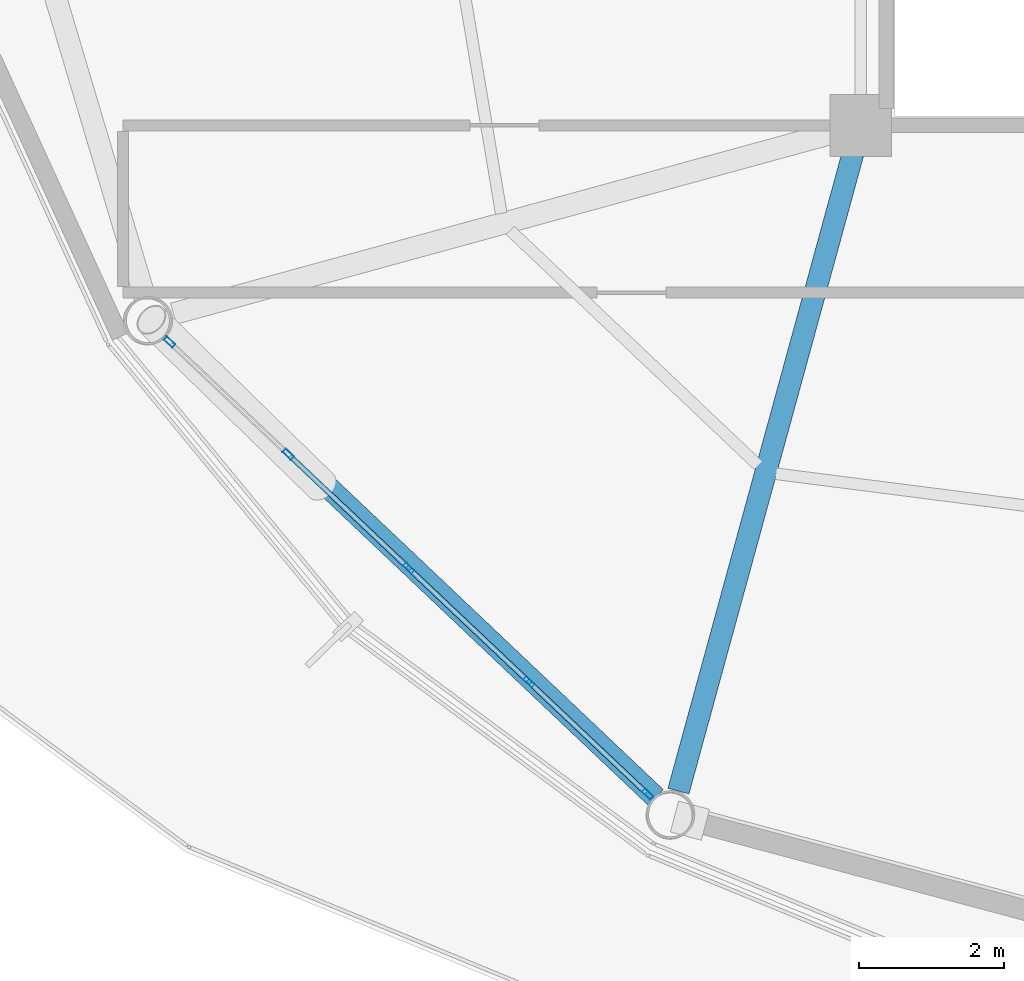
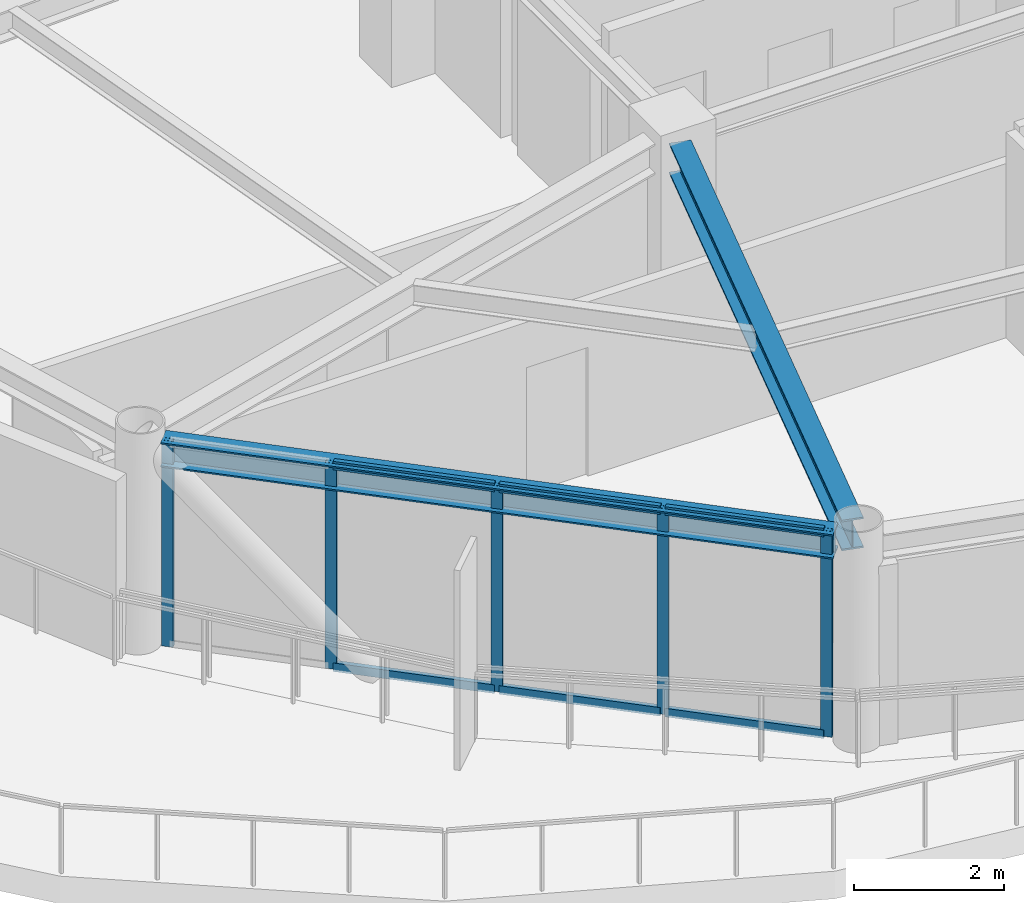
# One storey, part 2 of 25: 11 members, 2 beams, 1 element without a shape of its own.
"""IFC4 building model written with IfcOpenShell, lengths in metres."""

from ifc_helpers import new_model, si_unit, direction, frame, origin, origin_2d, place, context, subcontext, project, spatial, hollow_rectangle, i_section, extrude, material, layer, layer_set, material_profile, profile_set, type_object, element, aggregate, save


model = new_model("IFC4")

# Units and contexts
model_context = context("Model", 3, precision=1e-05, world=origin(), true_north=direction((0.0, 1.0)))
body_context = subcontext(model_context, "Body", "Model", "MODEL_VIEW")
ifc_project = project(units=[si_unit("LENGTHUNIT", "METRE"), si_unit("AREAUNIT", "SQUARE_METRE"), si_unit("VOLUMEUNIT", "CUBIC_METRE"), si_unit("PLANEANGLEUNIT", "RADIAN"), si_unit("MASSUNIT", "GRAM", prefix="KILO")], contexts=[model_context])

# Site, building, storey
site_placement = place(None, origin())
site = spatial("IfcSite", under=ifc_project, at=site_placement, CompositionType="ELEMENT")
building_placement = place(site_placement, origin())
building = spatial("IfcBuilding", under=site, at=building_placement, Name="Varnakorn Sky Granary", CompositionType="ELEMENT")
storey_placement = place(building_placement, frame((0.0, 0.0, 178.800048828125)))
storey = spatial("IfcBuildingStorey", under=building, at=storey_placement, Name="L44", CompositionType="ELEMENT", Elevation=178.800048828125)

# Beams
ifc_material_1 = material(Name="Steel S355JR", Category="steel")
ifc_material_profile_1 = material_profile(ifc_material_1, i_section(OverallWidth=0.300048828125, OverallDepth=0.5, WebThickness=0.014404296875, FlangeThickness=0.028076171875, at=origin_2d()), Name="HE 500 B")
ifc_profile_set_1 = profile_set([ifc_material_profile_1], Name="Steel S355JR")
beam_type_1 = type_object("IfcBeamType", Name="BM-RAD-Z4", PredefinedType="BEAM", material=ifc_profile_set_1)
beam_1_placement = place(storey_placement, frame((-2.456787109375, -6.990478515625, 3.10986328125), z_axis=(-0.264005852904, -0.964521077858, 0.0), x_axis=(0.964521077858, -0.264005852904, 0.0)))
element("IfcBeam", 1, at=beam_1_placement, inside=storey, type_object=beam_type_1, Name="Radial Floor Girder RG09 L44", PredefinedType="BEAM", context=body_context, shape_type="SweptSolid", body=[
    extrude(i_section(OverallWidth=0.300048828125, OverallDepth=0.5, WebThickness=0.014404296875, FlangeThickness=0.028076171875, at=origin_2d()), origin(), (0.0, 0.0, 1.0), 9.09033203125),
])
ifc_material_profile_2 = material_profile(ifc_material_1, i_section(OverallWidth=0.300048828125, OverallDepth=0.39990234375, WebThickness=0.013427734375, FlangeThickness=0.02392578125, at=origin_2d()), Name="HE 400 B")
ifc_profile_set_2 = profile_set([ifc_material_profile_2], Name="Steel S355JR")
beam_type_2 = type_object("IfcBeamType", Name="BM-SPD-Z4", PredefinedType="SPANDREL", material=ifc_profile_set_2)
beam_2_placement = place(storey_placement, frame((-11.878173828125, -9.489990234375, 3.159912109375), z_axis=(0.725986697068, -0.687708743351, 0.0), x_axis=(0.687708743351, 0.725986697068, 0.0)))
element("IfcBeam", 2, at=beam_2_placement, inside=storey, type_object=beam_type_2, Name="Perimeter Spandrel Ring Beam RB08 L44", PredefinedType="SPANDREL", context=body_context, shape_type="SweptSolid", body=[
    extrude(i_section(OverallWidth=0.300048828125, OverallDepth=0.39990234375, WebThickness=0.013427734375, FlangeThickness=0.02392578125, at=origin_2d()), origin(), (0.0, 0.0, 1.0), 9.241943359375),
])

# Curtain wall, members
ifc_material_2 = material(Name="Anodised Bronze Aluminium Alloy 6063-T6", Category="aluminium")
ifc_layer = layer(ifc_material_2, 0.169921875, Name="Anodised Bronze Aluminium Alloy 6063-T6")
ifc_layer_set = layer_set([ifc_layer], Name="Anodised Bronze Aluminium Alloy 6063-T6")
curtain_wall_type = type_object("IfcCurtainWallType", Name="CW-LAB-1", PredefinedType="USERDEFINED", material=ifc_layer_set)
curtain_wall_placement = place(storey_placement, origin())
curtain_wall = element("IfcCurtainWall", 3, at=curtain_wall_placement, inside=storey, type_object=curtain_wall_type, Name="Unitised Curtain Wall CW5 CW-L44-B08", ObjectType="CURTAIN WALL", PredefinedType="USERDEFINED")
ifc_material_profile_3 = material_profile(ifc_material_2, hollow_rectangle(XDim=0.06494140625, YDim=0.159912109375, WallThickness=0.00341796875, at=origin_2d()), Name="ALU MULL 65x160")
ifc_profile_set_3 = profile_set([ifc_material_profile_3], Name="Anodised Bronze Aluminium Alloy 6063-T6")
member_type_1 = type_object("IfcMemberType", Name="CW-LAB-1-MULL", PredefinedType="MULLION", material=ifc_profile_set_3)
member_1_placement = place(storey_placement, frame((-5.280517578125, -15.80126953125, 0.0), z_axis=(0.0, 0.0, 1.0), x_axis=(-0.687123508986, -0.726540627494, 0.0)))
member_1 = element("IfcMember", 4, at=member_1_placement, type_object=member_type_1, Name="CW5 mullion 1", PredefinedType="MULLION", context=body_context, shape_type="SweptSolid", body=[
    extrude(hollow_rectangle(XDim=0.06494140625, YDim=0.159912109375, WallThickness=0.00341796875, at=origin_2d()), origin(), (0.0, 0.0, 1.0), 3.35986328125),
])
member_2_placement = place(storey_placement, frame((-6.9130859375, -14.25732421875, 0.0), z_axis=(0.0, 0.0, 1.0), x_axis=(-0.687123508986, -0.726540627494, 0.0)))
member_2 = element("IfcMember", 5, at=member_2_placement, type_object=member_type_1, Name="CW5 mullion 2", PredefinedType="MULLION", context=body_context, shape_type="SweptSolid", body=[
    extrude(hollow_rectangle(XDim=0.06494140625, YDim=0.159912109375, WallThickness=0.00341796875, at=origin_2d()), origin(), (0.0, 0.0, 1.0), 3.35986328125),
])
member_3_placement = place(storey_placement, frame((-8.569091796875, -12.691162109375, 0.0), z_axis=(0.0, 0.0, 1.0), x_axis=(-0.687123508986, -0.726540627494, 0.0)))
member_3 = element("IfcMember", 6, at=member_3_placement, type_object=member_type_1, Name="CW5 mullion 3", PredefinedType="MULLION", context=body_context, shape_type="SweptSolid", body=[
    extrude(hollow_rectangle(XDim=0.06494140625, YDim=0.159912109375, WallThickness=0.00341796875, at=origin_2d()), origin(), (0.0, 0.0, 1.0), 3.35986328125),
])
member_4_placement = place(storey_placement, frame((-10.225341796875, -11.124755859375, 0.0), z_axis=(0.0, 0.0, 1.0), x_axis=(-0.687123508986, -0.726540627494, 0.0)))
member_4 = element("IfcMember", 7, at=member_4_placement, type_object=member_type_1, Name="CW5 mullion 4", PredefinedType="MULLION", context=body_context, shape_type="SweptSolid", body=[
    extrude(hollow_rectangle(XDim=0.06494140625, YDim=0.159912109375, WallThickness=0.00341796875, at=origin_2d()), origin(), (0.0, 0.0, 1.0), 3.35986328125),
])
member_5_placement = place(storey_placement, frame((-11.857666015625, -9.580810546875, 0.0), z_axis=(0.0, 0.0, 1.0), x_axis=(-0.687123508986, -0.726540627494, 0.0)))
member_5 = element("IfcMember", 8, at=member_5_placement, type_object=member_type_1, Name="CW5 mullion 5", PredefinedType="MULLION", context=body_context, shape_type="SweptSolid", body=[
    extrude(hollow_rectangle(XDim=0.06494140625, YDim=0.159912109375, WallThickness=0.00341796875, at=origin_2d()), origin(), (0.0, 0.0, 1.0), 3.35986328125),
])
ifc_material_profile_4 = material_profile(ifc_material_2, hollow_rectangle(XDim=0.070068359375, YDim=0.139892578125, WallThickness=0.00341796875, at=origin_2d()), Name="ALU TRAN 70x140")
ifc_profile_set_4 = profile_set([ifc_material_profile_4], Name="Anodised Bronze Aluminium Alloy 6063-T6")
member_type_2 = type_object("IfcMemberType", Name="CW-LAB-1-TRAN", PredefinedType="USERDEFINED", material=ifc_profile_set_4)
member_6_placement = place(storey_placement, frame((-5.30419921875, -15.779052734375, 0.034912109375), z_axis=(-0.726469926582, 0.687198257981, 0.0), x_axis=(-0.687198257981, -0.726469926582, 0.0)))
member_6 = element("IfcMember", 9, at=member_6_placement, type_object=member_type_2, Name="CW5 transom 1.1", ObjectType="TRANSOM", PredefinedType="USERDEFINED", context=body_context, shape_type="SweptSolid", body=[
    extrude(hollow_rectangle(XDim=0.070068359375, YDim=0.139892578125, WallThickness=0.00341796875, at=origin_2d()), origin(), (0.0, 0.0, 1.0), 2.18212890625),
])
member_7_placement = place(storey_placement, frame((-5.30419921875, -15.779052734375, 3.324951171875), z_axis=(-0.726469926582, 0.687198257981, 0.0), x_axis=(-0.687198257981, -0.726469926582, 0.0)))
member_7 = element("IfcMember", 10, at=member_7_placement, type_object=member_type_2, Name="CW5 transom 1.2", ObjectType="TRANSOM", PredefinedType="USERDEFINED", context=body_context, shape_type="SweptSolid", body=[
    extrude(hollow_rectangle(XDim=0.070068359375, YDim=0.139892578125, WallThickness=0.00341796875, at=origin_2d()), origin(), (0.0, 0.0, 1.0), 2.18212890625),
])
member_8_placement = place(storey_placement, frame((-6.9365234375, -14.235107421875, 0.034912109375), z_axis=(-0.726563601968, 0.687099215758, 0.0), x_axis=(-0.687099215758, -0.726563601968, 0.0)))
member_8 = element("IfcMember", 11, at=member_8_placement, type_object=member_type_2, Name="CW5 transom 2.1", ObjectType="TRANSOM", PredefinedType="USERDEFINED", context=body_context, shape_type="SweptSolid", body=[
    extrude(hollow_rectangle(XDim=0.070068359375, YDim=0.139892578125, WallThickness=0.00341796875, at=origin_2d()), origin(), (0.0, 0.0, 1.0), 2.214599609375),
])
member_9_placement = place(storey_placement, frame((-6.9365234375, -14.235107421875, 3.324951171875), z_axis=(-0.726563601968, 0.687099215758, 0.0), x_axis=(-0.687099215758, -0.726563601968, 0.0)))
member_9 = element("IfcMember", 12, at=member_9_placement, type_object=member_type_2, Name="CW5 transom 2.2", ObjectType="TRANSOM", PredefinedType="USERDEFINED", context=body_context, shape_type="SweptSolid", body=[
    extrude(hollow_rectangle(XDim=0.070068359375, YDim=0.139892578125, WallThickness=0.00341796875, at=origin_2d()), origin(), (0.0, 0.0, 1.0), 2.214599609375),
])
member_10_placement = place(storey_placement, frame((-8.5927734375, -12.668701171875, 0.034912109375), z_axis=(-0.726566591573, 0.687096054428, 0.0), x_axis=(-0.687096054428, -0.726566591573, 0.0)))
member_10 = element("IfcMember", 13, at=member_10_placement, type_object=member_type_2, Name="CW5 transom 3.1", ObjectType="TRANSOM", PredefinedType="USERDEFINED", context=body_context, shape_type="SweptSolid", body=[
    extrude(hollow_rectangle(XDim=0.070068359375, YDim=0.139892578125, WallThickness=0.00341796875, at=origin_2d()), origin(), (0.0, 0.0, 1.0), 2.21435546875),
])
member_11_placement = place(storey_placement, frame((-8.5927734375, -12.668701171875, 3.324951171875), z_axis=(-0.726566591573, 0.687096054428, 0.0), x_axis=(-0.687096054428, -0.726566591573, 0.0)))
member_11 = element("IfcMember", 14, at=member_11_placement, type_object=member_type_2, Name="CW5 transom 3.2", ObjectType="TRANSOM", PredefinedType="USERDEFINED", context=body_context, shape_type="SweptSolid", body=[
    extrude(hollow_rectangle(XDim=0.070068359375, YDim=0.139892578125, WallThickness=0.00341796875, at=origin_2d()), origin(), (0.0, 0.0, 1.0), 2.21435546875),
])
aggregate(curtain_wall, [member_1, member_2, member_3, member_4, member_5, member_6, member_7, member_8, member_9, member_10, member_11])

save(model, "model.ifc")
